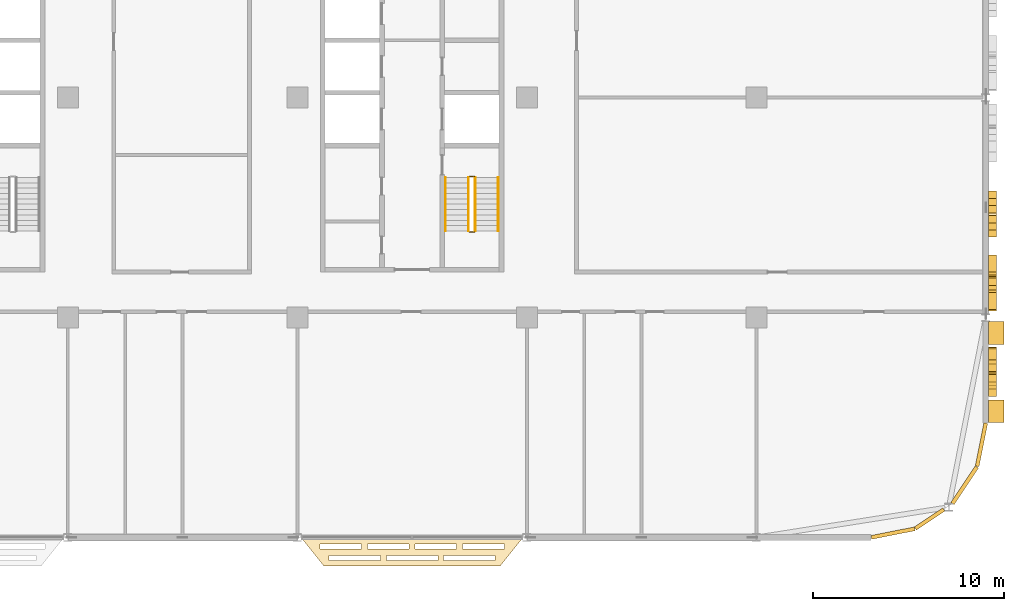
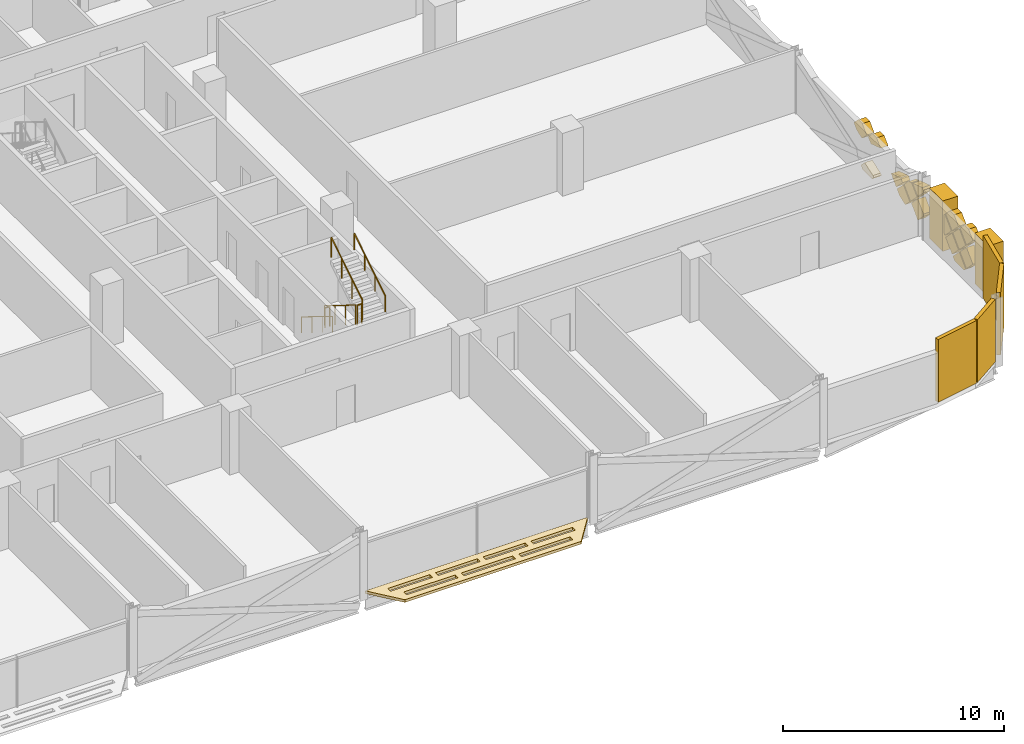
# One storey, part 29 of 30: 22 coverings, 6 railings.
"""IFC4 building model written with IfcOpenShell, lengths in metres."""

from ifc_helpers import new_model, si_unit, direction, frame, origin, origin_2d, place, context, subcontext, project, spatial, polyline, rectangle, circle, outline, extrude, material, layer, layer_set, type_object, element, save


model = new_model("IFC4")

# Units and contexts
model_context = context("Model", 3, precision=1e-05, world=origin(), true_north=direction((0.0, 1.0)))
body_context = subcontext(model_context, "Body", "Model", "MODEL_VIEW")
ifc_project = project(units=[si_unit("LENGTHUNIT", "METRE"), si_unit("AREAUNIT", "SQUARE_METRE"), si_unit("VOLUMEUNIT", "CUBIC_METRE"), si_unit("PLANEANGLEUNIT", "RADIAN"), si_unit("MASSUNIT", "GRAM", prefix="KILO")], contexts=[model_context])

# Site, building, storey
site_placement = place(None, origin())
site = spatial("IfcSite", under=ifc_project, at=site_placement, CompositionType="ELEMENT")
building_placement = place(site_placement, origin())
building = spatial("IfcBuilding", under=site, at=building_placement, Name="Mahtab Terrace Research Tower", CompositionType="ELEMENT")
storey_placement = place(building_placement, frame((0.0, 0.0, 212.89990234375)))
storey = spatial("IfcBuildingStorey", under=building, at=storey_placement, Name="L51", CompositionType="ELEMENT", Elevation=212.89990234375)

# Coverings
ifc_material_1 = material(Name="Black aluminium cladding panel", Category="aluminium")
ifc_layer_1 = layer(ifc_material_1, 0.199951171875)
ifc_layer_set_1 = layer_set([ifc_layer_1], Name="Black metal corner cladding 200")
covering_type_1 = type_object("IfcCoveringType", Name="Black metal corner cladding 200", PredefinedType="CLADDING", material=ifc_layer_set_1)
covering_1_placement = place(storey_placement, frame((49.14794921875, -22.771484375, 0.0), z_axis=(0.0, 0.0, 1.0), x_axis=(0.980760981187, 0.195212442692, 0.0)))
element("IfcCovering", 1, at=covering_1_placement, inside=storey, type_object=covering_type_1, Name="Corner cladding L51 31", PredefinedType="CLADDING", context=body_context, shape_type="SweptSolid", body=[
    extrude(rectangle(XDim=2.30126953125, YDim=0.199951171875, at=origin_2d()), origin(), (0.0, 0.0, 1.0), 3.4599609375),
])
covering_2_placement = place(storey_placement, frame((51.059814453125, -22.032958984375, 0.0), z_axis=(0.0, 0.0, 1.0), x_axis=(0.831655794326, 0.555291490808, 0.0)))
element("IfcCovering", 2, at=covering_2_placement, inside=storey, type_object=covering_type_1, Name="Corner cladding L51 32", PredefinedType="CLADDING", context=body_context, shape_type="SweptSolid", body=[
    extrude(rectangle(XDim=1.797119140625, YDim=0.199951171875, at=origin_2d()), origin(), (0.0, 0.0, 1.0), 3.4599609375),
])
for number, where, z_axis, x_axis, name in (
    (3, (52.89306640625, -20.26953125, 0.0), (0.0, 0.0, 1.0), (0.555291490808, 0.831655794326, 0.0), "Corner cladding L51 33"),
    (4, (53.771484375, -18.14794921875, 0.0), (0.0, 0.0, 1.0), (0.195212442692, 0.980760981187, 0.0), "Corner cladding L51 34"),
):
    element("IfcCovering", number, at=place(storey_placement, frame(where, z_axis=z_axis, x_axis=x_axis)), inside=storey, type_object=covering_type_1, Name=name, PredefinedType="CLADDING", context=body_context, shape_type="SweptSolid", body=[
        extrude(rectangle(XDim=2.30126953125, YDim=0.199951171875, at=origin_2d()), origin(), (0.0, 0.0, 1.0), 3.4599609375),
    ])
ifc_material_2 = material(Name="Black anodised aluminium", Category="aluminium")
ifc_layer_2 = layer(ifc_material_2, 0.14990234375)
ifc_layer_set_2 = layer_set([ifc_layer_2], Name="Horizontal sunshade band")
covering_type_2 = type_object("IfcCoveringType", Name="Horizontal sunshade band", PredefinedType="CLADDING", material=ifc_layer_set_2)
covering_3_placement = place(storey_placement, frame((0.0, 0.0, -0.14990234375)))
element("IfcCovering", 5, at=covering_3_placement, inside=storey, type_object=covering_type_2, Name="Sunshade band L51 28", PredefinedType="CLADDING", context=body_context, shape_type="SweptSolid", body=[
    extrude(outline(polyline([(18.199951171875, -23.0), (29.800048828125, -23.0), (28.60009765625, -24.5), (19.39990234375, -24.5), (18.199951171875, -23.0)]), holes=[polyline([(19.179931640625, -23.35009765625), (21.364990234375, -23.35009765625), (21.364990234375, -23.60009765625), (19.179931640625, -23.60009765625), (19.179931640625, -23.35009765625)]), polyline([(21.6650390625, -23.35009765625), (23.85009765625, -23.35009765625), (23.85009765625, -23.60009765625), (21.6650390625, -23.60009765625), (21.6650390625, -23.35009765625)]), polyline([(24.14990234375, -23.35009765625), (26.3349609375, -23.35009765625), (26.3349609375, -23.60009765625), (24.14990234375, -23.60009765625), (24.14990234375, -23.35009765625)]), polyline([(26.635009765625, -23.35009765625), (28.820068359375, -23.35009765625), (28.820068359375, -23.60009765625), (26.635009765625, -23.60009765625), (26.635009765625, -23.35009765625)]), polyline([(19.659912109375, -23.949951171875), (22.35302734375, -23.949951171875), (22.35302734375, -24.199951171875), (19.659912109375, -24.199951171875), (19.659912109375, -23.949951171875)]), polyline([(22.653076171875, -23.949951171875), (25.346923828125, -23.949951171875), (25.346923828125, -24.199951171875), (22.653076171875, -24.199951171875), (22.653076171875, -23.949951171875)]), polyline([(25.64697265625, -23.949951171875), (28.340087890625, -23.949951171875), (28.340087890625, -24.199951171875), (25.64697265625, -24.199951171875), (25.64697265625, -23.949951171875)])]), origin(), (0.0, 0.0, 1.0), 0.14990234375),
])
ifc_material_3 = material(Name="Bronze anodised aluminium", Category="aluminium")
ifc_layer_3 = layer(ifc_material_3, 0.39990234375)
ifc_layer_set_3 = layer_set([ifc_layer_3], Name="Mashrabiya relief panel 400")
covering_type_3 = type_object("IfcCoveringType", Name="Mashrabiya relief panel 400", PredefinedType="CLADDING", material=ifc_layer_set_3)
covering_4_placement = place(storey_placement, frame((54.14990234375, -15.050048828125, 1.530029296875), z_axis=(-1.0, 0.0, 0.0), x_axis=(0.0, 0.707255598772, -0.706957932274)))
element("IfcCovering", 6, at=covering_4_placement, inside=storey, type_object=covering_type_3, Name="Mashrabiya lattice cell L51 E35.1", PredefinedType="CLADDING", context=body_context, shape_type="SweptSolid", body=[
    extrude(outline(polyline([(0.0, 0.0), (0.8201817362875763, 0.0), (0.8200090664636573, 0.8203543334390104), (-0.00017259715143413956, 0.8200090664636573), (0.0, 0.0)])), origin(), (0.0, 0.0, -1.0), 0.39990234375),
])
covering_5_placement = place(storey_placement, frame((54.14990234375, -14.469970703125, 2.25), z_axis=(-1.0, 0.0, 0.0), x_axis=(0.0, -0.707255598772, -0.706957932274)))
element("IfcCovering", 7, at=covering_5_placement, inside=storey, type_object=covering_type_3, Name="Mashrabiya lattice cell L51 E35.2", PredefinedType="CLADDING", context=body_context, shape_type="SweptSolid", body=[
    extrude(outline(polyline([(0.0, 0.0), (0.8201817362875763, 0.0), (0.8203543334390104, 0.8200090664636573), (0.25877763436340506, 0.8202999017478845), (-5.4431691125955695e-05, 0.5615767717480903), (0.0, 0.0)])), origin(), (0.0, 0.0, -1.0), 0.39990234375),
])
covering_6_placement = place(storey_placement, frame((54.14990234375, -14.97998046875, 0.300048828125), z_axis=(-1.0, 0.0, 0.0), x_axis=(0.0, 0.707106781187, 0.707106781187)))
element("IfcCovering", 8, at=covering_6_placement, inside=storey, type_object=covering_type_3, Name="Mashrabiya lattice cell L51 E35.3", PredefinedType="CLADDING", context=body_context, shape_type="SweptSolid", body=[
    extrude(outline(polyline([(0.0, 0.0), (0.8203543516109556, 0.0), (0.820181718119455, 0.820181718119455), (0.5867812376106141, 0.8201817181194551), (0.0, 0.2334004805088409), (0.0, 0.0)])), origin(), (0.0, 0.0, -1.0), 0.39990234375),
])
covering_7_placement = place(storey_placement, frame((54.14990234375, -14.39990234375, 2.18017578125), z_axis=(-1.0, 0.0, 0.0), x_axis=(0.0, 0.706957932274, -0.707255598772)))
element("IfcCovering", 9, at=covering_7_placement, inside=storey, type_object=covering_type_3, Name="Mashrabiya lattice cell L51 E35.4", PredefinedType="CLADDING", context=body_context, shape_type="SweptSolid", body=[
    extrude(outline(polyline([(0.0, 0.0), (0.8201817362875763, 0.0), (0.8205270032629295, 0.8201816636150915), (0.00017266982391900276, 0.8203543334390104), (0.0, 0.0)])), origin(), (0.0, 0.0, -1.0), 0.39990234375),
])
covering_8_placement = place(storey_placement, frame((54.14990234375, -13.75, 1.530029296875), z_axis=(-1.0, 0.0, 0.0), x_axis=(0.0, 0.707255598772, -0.706957932274)))
element("IfcCovering", 10, at=covering_8_placement, inside=storey, type_object=covering_type_3, Name="Mashrabiya lattice cell L51 E35.5", PredefinedType="CLADDING", context=body_context, shape_type="SweptSolid", body=[
    extrude(outline(polyline([(0.0, 0.0), (0.8201817362875763, 0.0), (0.8200090664636573, 0.8203543334390104), (-0.0003452669753531423, 0.8201816636150915), (0.0, 0.0)])), origin(), (0.0, 0.0, -1.0), 0.39990234375),
])
covering_9_placement = place(storey_placement, frame((54.14990234375, -13.169921875, 2.25), z_axis=(-1.0, 0.0, 0.0), x_axis=(0.0, -0.707255598772, -0.706957932274)))
element("IfcCovering", 11, at=covering_9_placement, inside=storey, type_object=covering_type_3, Name="Mashrabiya lattice cell L51 E35.6", PredefinedType="CLADDING", context=body_context, shape_type="SweptSolid", body=[
    extrude(outline(polyline([(0.0, 0.0), (0.8201817362875763, 0.0), (0.8205270032629295, 0.8201816636150915), (0.258950304187324, 0.8204724988993186), (-5.4431691125955695e-05, 0.5615767717480903), (0.0, 0.0)])), origin(), (0.0, 0.0, -1.0), 0.39990234375),
])
covering_10_placement = place(storey_placement, frame((54.14990234375, -13.10009765625, 1.02001953125), z_axis=(-1.0, 0.0, 0.0), x_axis=(0.0, -0.706957932274, 0.707255598772)))
element("IfcCovering", 12, at=covering_10_placement, inside=storey, type_object=covering_type_3, Name="Mashrabiya lattice cell L51 E35.7", PredefinedType="CLADDING", context=body_context, shape_type="SweptSolid", body=[
    extrude(outline(polyline([(0.0, 0.0), (0.8201817362875763, 0.0), (0.8205270032629295, 0.8201816636150915), (0.7283407208436468, 0.8202010671685369), (1.9403553445443422e-05, 0.09218628241928274), (0.0, 0.0)])), origin(), (0.0, 0.0, -1.0), 0.39990234375),
])
covering_11_placement = place(storey_placement, frame((54.14990234375, -10.64990234375, 1.530029296875), z_axis=(-1.0, 0.0, 0.0), x_axis=(0.0, 0.707106781187, -0.707106781187)))
element("IfcCovering", 13, at=covering_11_placement, inside=storey, type_object=covering_type_3, Name="Mashrabiya lattice cell L51 E36.1", PredefinedType="CLADDING", context=body_context, shape_type="SweptSolid", body=[
    extrude(outline(polyline([(0.0, 0.0), (0.8200090846279543, 0.0), (0.820181718119455, 0.820181718119455), (0.0918410174783309, 0.8203543516109555), (-0.0001726334915005956, 0.728340700641124), (0.0, 0.0)])), origin(), (0.0, 0.0, -1.0), 0.39990234375),
])
covering_12_placement = place(storey_placement, frame((54.14990234375, -10.64990234375, 1.670166015625), z_axis=(-1.0, 0.0, 0.0), x_axis=(0.0, -0.707274361884, 0.706939160764)))
element("IfcCovering", 14, at=covering_12_placement, inside=storey, type_object=covering_type_3, Name="Mashrabiya lattice cell L51 E36.2", PredefinedType="CLADDING", context=body_context, shape_type="SweptSolid", body=[
    extrude(outline(polyline([(0.0, 0.0), (0.728340721100177, -5.551115123125783e-17), (0.8203325601351756, 0.09203545773534705), (0.8201267420650509, 0.23204117449149148), (-0.00015278820553593642, 0.644613439156164), (0.0, 0.0)])), origin(), (0.0, 0.0, -1.0), 0.39990234375),
])
covering_13_placement = place(storey_placement, frame((54.14990234375, -9.419921875, 1.60009765625), z_axis=(-1.0, 0.0, 0.0), x_axis=(0.0, -0.707106781187, -0.707106781187)))
element("IfcCovering", 15, at=covering_13_placement, inside=storey, type_object=covering_type_3, Name="Mashrabiya lattice cell L51 E36.3", PredefinedType="CLADDING", context=body_context, shape_type="SweptSolid", body=[
    extrude(outline(polyline([(0.0, 0.0), (0.8203543516109556, 0.0), (0.8203543516109556, 0.8203543516109556), (0.12602244879545405, 0.8203543516109555), (0.0, 0.5700357889350537), (0.0, 0.0)])), origin(), (0.0, 0.0, -1.0), 0.39990234375),
])
covering_14_placement = place(storey_placement, frame((54.14990234375, -9.929931640625, 0.9501953125), z_axis=(-1.0, 0.0, 0.0), x_axis=(0.0, 0.707106781187, 0.707106781187)))
element("IfcCovering", 16, at=covering_14_placement, inside=storey, type_object=covering_type_3, Name="Mashrabiya lattice cell L51 E36.4", PredefinedType="CLADDING", context=body_context, shape_type="SweptSolid", body=[
    extrude(outline(polyline([(0.0, 0.0), (0.8200090846279543, 0.0), (0.820181718119455, 0.820181718119455), (0.4750873686097116, 0.8203543516109555), (-0.0001726334915005956, 0.5812569658825941), (0.0, 0.0)])), origin(), (0.0, 0.0, -1.0), 0.39990234375),
])
covering_15_placement = place(storey_placement, frame((54.14990234375, -8.699951171875, 1.02001953125), z_axis=(-1.0, 0.0, 0.0), x_axis=(0.0, -0.707106781187, 0.707106781187)))
element("IfcCovering", 17, at=covering_15_placement, inside=storey, type_object=covering_type_3, Name="Mashrabiya lattice cell L51 E36.5", PredefinedType="CLADDING", context=body_context, shape_type="SweptSolid", body=[
    extrude(outline(polyline([(0.0, 0.0), (0.8203543516109556, 0.0), (0.8203543516109556, 0.23754368430485584), (0.0, 0.6504829959743436), (0.0, 0.0)])), origin(), (0.0, 0.0, -1.0), 0.39990234375),
])
covering_16_placement = place(storey_placement, frame((54.14990234375, -6.169921875, 2.25), z_axis=(-1.0, 0.0, 0.0), x_axis=(0.0, -0.707457615546, -0.706755772673)))
element("IfcCovering", 18, at=covering_16_placement, inside=storey, type_object=covering_type_3, Name="Mashrabiya lattice cell L51 E36.6", PredefinedType="CLADDING", context=body_context, shape_type="SweptSolid", body=[
    extrude(outline(polyline([(0.0, 0.0), (0.3478565282108453, 0.0), (0.7613754605221904, 0.81997659880765), (0.2591847812637822, 0.8203984584639622), (0.00010606463332951677, 0.5615767643698493), (0.0, 0.0)])), origin(), (0.0, 0.0, -1.0), 0.39990234375),
])
covering_17_placement = place(storey_placement, frame((54.14990234375, -6.679931640625, 0.300048828125), z_axis=(-1.0, 0.0, 0.0), x_axis=(0.0, 0.707106781187, 0.707106781187)))
element("IfcCovering", 19, at=covering_17_placement, inside=storey, type_object=covering_type_3, Name="Mashrabiya lattice cell L51 E36.7", PredefinedType="CLADDING", context=body_context, shape_type="SweptSolid", body=[
    extrude(outline(polyline([(0.0, 0.0), (0.10599696378138189, 0.0), (0.820181718119455, 0.3592502958127942), (0.820181718119455, 0.820181718119455), (0.5867812376106141, 0.8201817181194551), (0.0, 0.2334004805088409), (0.0, 0.0)])), origin(), (0.0, 0.0, -1.0), 0.39990234375),
])
covering_18_placement = place(storey_placement, frame((54.14990234375, -6.030029296875, 2.25), z_axis=(-1.0, 0.0, 0.0), x_axis=(0.0, 0.706889377119, 0.707324118433)))
element("IfcCovering", 20, at=covering_18_placement, inside=storey, type_object=covering_type_3, Name="Mashrabiya lattice cell L51 E36.8", PredefinedType="CLADDING", context=body_context, shape_type="SweptSolid", body=[
    extrude(outline(polyline([(0.0, 0.0), (0.5615767743860279, 0.0), (0.8202748154750782, 0.2588571419753289), (0.8199295485083908, 0.8204338102233406), (0.4508391611195841, 0.8203203486840265), (-0.0001825573878581066, 0.5938591827022897), (0.0, 0.0)])), origin(), (0.0, 0.0, -1.0), 0.39990234375),
])
ifc_material_4 = material(Name="Glazed ceramic tile cladding", Category="masonry")
ifc_layer_4 = layer(ifc_material_4, 0.800048828125)
ifc_layer_set_4 = layer_set([ifc_layer_4], Name="Pishtaq frame pier 800")
covering_type_4 = type_object("IfcCoveringType", Name="Pishtaq frame pier 800", PredefinedType="CLADDING", material=ifc_layer_set_4)
for number, where, z_axis, x_axis, name in (
    (21, (54.550048828125, -16.39990234375, 0.0), (0.0, 0.0, 1.0), (0.0, 1.0, 0.0), "Pishtaq frame pier 35a"),
    (22, (54.550048828125, -12.300048828125, 0.0), (0.0, 0.0, 1.0), (0.0, 1.0, 0.0), "Pishtaq frame pier 35b"),
):
    element("IfcCovering", number, at=place(storey_placement, frame(where, z_axis=z_axis, x_axis=x_axis)), inside=storey, type_object=covering_type_4, Name=name, PredefinedType="CLADDING", context=body_context, shape_type="SweptSolid", body=[
        extrude(rectangle(XDim=1.199951171875, YDim=0.800048828125, at=origin_2d()), origin(), (0.0, 0.0, 1.0), 2.781982421875),
    ])

# Railings
ifc_material_5 = material(Name="Stainless steel AISI 304", Category="steel")
railing_type_1 = type_object("IfcRailingType", Name="Stair guard 1100", PredefinedType="GUARDRAIL", material=ifc_material_5)
railing_1_placement = place(storey_placement, frame((26.949951171875, -4.175048828125, 0.1728515625)))
element("IfcRailing", 23, at=railing_1_placement, inside=storey, type_object=railing_type_1, Name="L51 ST4 stair guard 1", PredefinedType="GUARDRAIL", context=body_context, shape_type="SweptSolid", body=[
    extrude(circle(Radius=0.02392578125, at=origin_2d()), frame((0.0, 0.0, 1.076171875), z_axis=(0.0, -0.851089632645, 0.525020415988), x_axis=(1.0, 0.0, 0.0)), (0.0, 0.0, 1.0), 3.2900390625),
    extrude(circle(Radius=0.02099609375, at=origin_2d()), origin(), (0.0, 0.0, 1.0), 1.052001953125),
    extrude(circle(Radius=0.02099609375, at=origin_2d()), frame((0.0, -0.933349609375, 0.57568359375)), (0.0, 0.0, 1.0), 1.052001953125),
    extrude(circle(Radius=0.02099609375, at=origin_2d()), frame((0.0, -1.86669921875, 1.151611328125)), (0.0, 0.0, 1.0), 1.052001953125),
    extrude(circle(Radius=0.02099609375, at=origin_2d()), frame((0.0, -2.800048828125, 1.727294921875)), (0.0, 0.0, 1.0), 1.052001953125),
])
railing_2_placement = place(storey_placement, frame((27.0, -7.02490234375, 1.900146484375)))
element("IfcRailing", 24, at=railing_2_placement, inside=storey, type_object=railing_type_1, Name="L51 ST4 stair guard 2", PredefinedType="GUARDRAIL", context=body_context, shape_type="SweptSolid", body=[
    extrude(circle(Radius=0.02392578125, at=origin_2d()), frame((0.0, 0.0, 1.076171875), z_axis=(1.0, 0.0, 0.0), x_axis=(0.0, 1.0, 0.0)), (0.0, 0.0, 1.0), 0.25),
    extrude(circle(Radius=0.02099609375, at=origin_2d()), origin(), (0.0, 0.0, 1.0), 1.052001953125),
    extrude(circle(Radius=0.02099609375, at=origin_2d()), frame((0.25, 0.0, 0.0)), (0.0, 0.0, 1.0), 1.052001953125),
])
railing_3_placement = place(storey_placement, frame((27.300048828125, -6.97509765625, 2.07275390625)))
element("IfcRailing", 25, at=railing_3_placement, inside=storey, type_object=railing_type_1, Name="L51 ST4 stair guard 3", PredefinedType="GUARDRAIL", context=body_context, shape_type="SweptSolid", body=[
    extrude(circle(Radius=0.02392578125, at=origin_2d()), frame((0.0, 0.0, 1.076171875), z_axis=(0.0, 0.851089632645, 0.525020415988), x_axis=(-1.0, 0.0, 0.0)), (0.0, 0.0, 1.0), 3.2900390625),
    extrude(circle(Radius=0.02099609375, at=origin_2d()), origin(), (0.0, 0.0, 1.0), 1.052001953125),
    extrude(circle(Radius=0.02099609375, at=origin_2d()), frame((0.0, 0.933349609375, 0.57568359375)), (0.0, 0.0, 1.0), 1.052001953125),
    extrude(circle(Radius=0.02099609375, at=origin_2d()), frame((0.0, 1.86669921875, 1.151611328125)), (0.0, 0.0, 1.0), 1.052001953125),
    extrude(circle(Radius=0.02099609375, at=origin_2d()), frame((0.0, 2.800048828125, 1.727294921875)), (0.0, 0.0, 1.0), 1.052001953125),
])
railing_4_placement = place(storey_placement, frame((27.0, -4.125, 0.0)))
element("IfcRailing", 26, at=railing_4_placement, inside=storey, type_object=railing_type_1, Name="L51 ST4 stair guard 4", PredefinedType="GUARDRAIL", context=body_context, shape_type="SweptSolid", body=[
    extrude(circle(Radius=0.02392578125, at=origin_2d()), frame((0.0, 0.0, 1.076171875), z_axis=(1.0, 0.0, 0.0), x_axis=(0.0, 1.0, 0.0)), (0.0, 0.0, 1.0), 0.25),
    extrude(circle(Radius=0.02099609375, at=origin_2d()), origin(), (0.0, 0.0, 1.0), 1.052001953125),
    extrude(circle(Radius=0.02099609375, at=origin_2d()), frame((0.25, 0.0, 0.0)), (0.0, 0.0, 1.0), 1.052001953125),
])
railing_type_2 = type_object("IfcRailingType", Name="Stair handrail 900", PredefinedType="HANDRAIL", material=ifc_material_5)
railing_5_placement = place(storey_placement, frame((25.75, -4.175048828125, 0.1728515625)))
element("IfcRailing", 27, at=railing_5_placement, inside=storey, type_object=railing_type_2, Name="L51 ST4 stair handrail 1", PredefinedType="HANDRAIL", context=body_context, shape_type="SweptSolid", body=[
    extrude(circle(Radius=0.02392578125, at=origin_2d()), frame((0.0, 0.0, 0.8759765625), z_axis=(0.0, -0.851089632645, 0.525020415988), x_axis=(1.0, 0.0, 0.0)), (0.0, 0.0, 1.0), 3.2900390625),
    extrude(circle(Radius=0.02099609375, at=origin_2d()), origin(), (0.0, 0.0, 1.0), 0.851806640625),
    extrude(circle(Radius=0.02099609375, at=origin_2d()), frame((0.0, -0.933349609375, 0.57568359375)), (0.0, 0.0, 1.0), 0.851806640625),
    extrude(circle(Radius=0.02099609375, at=origin_2d()), frame((0.0, -1.86669921875, 1.151611328125)), (0.0, 0.0, 1.0), 0.851806640625),
    extrude(circle(Radius=0.02099609375, at=origin_2d()), frame((0.0, -2.800048828125, 1.727294921875)), (0.0, 0.0, 1.0), 0.851806640625),
])
railing_6_placement = place(storey_placement, frame((28.5, -6.97509765625, 2.07275390625)))
element("IfcRailing", 28, at=railing_6_placement, inside=storey, type_object=railing_type_2, Name="L51 ST4 stair handrail 2", PredefinedType="HANDRAIL", context=body_context, shape_type="SweptSolid", body=[
    extrude(circle(Radius=0.02392578125, at=origin_2d()), frame((0.0, 0.0, 0.8759765625), z_axis=(0.0, 0.851089632645, 0.525020415988), x_axis=(-1.0, 0.0, 0.0)), (0.0, 0.0, 1.0), 3.2900390625),
    extrude(circle(Radius=0.02099609375, at=origin_2d()), origin(), (0.0, 0.0, 1.0), 0.851806640625),
    extrude(circle(Radius=0.02099609375, at=origin_2d()), frame((0.0, 0.933349609375, 0.57568359375)), (0.0, 0.0, 1.0), 0.851806640625),
    extrude(circle(Radius=0.02099609375, at=origin_2d()), frame((0.0, 1.86669921875, 1.151611328125)), (0.0, 0.0, 1.0), 0.851806640625),
    extrude(circle(Radius=0.02099609375, at=origin_2d()), frame((0.0, 2.800048828125, 1.727294921875)), (0.0, 0.0, 1.0), 0.851806640625),
])

save(model, "model.ifc")
